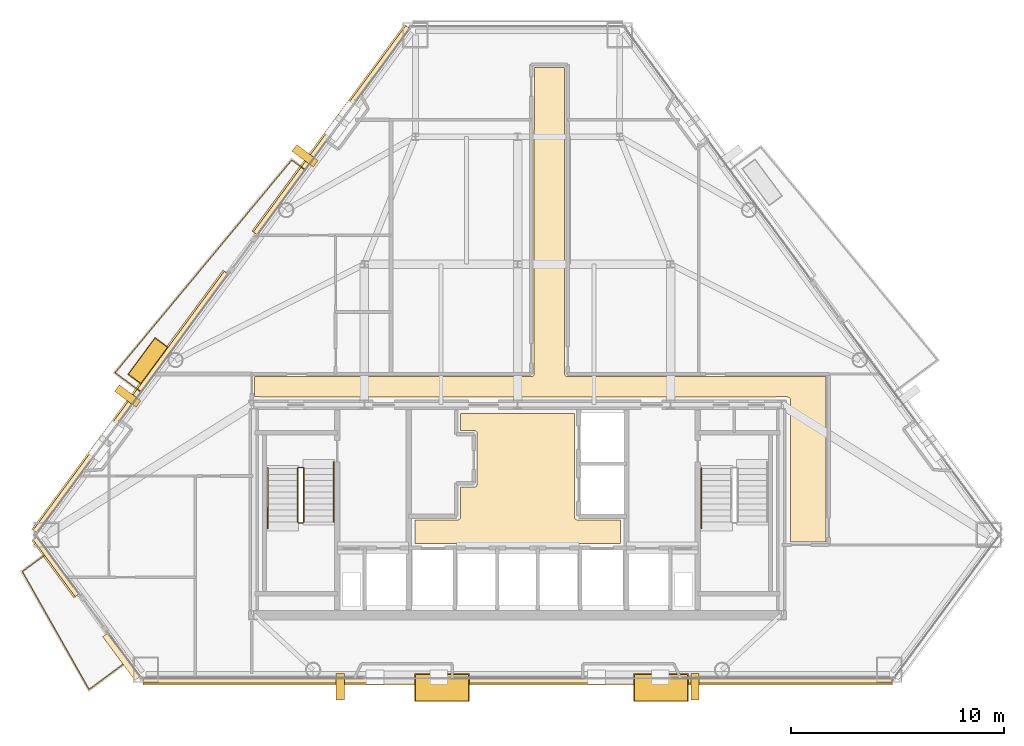
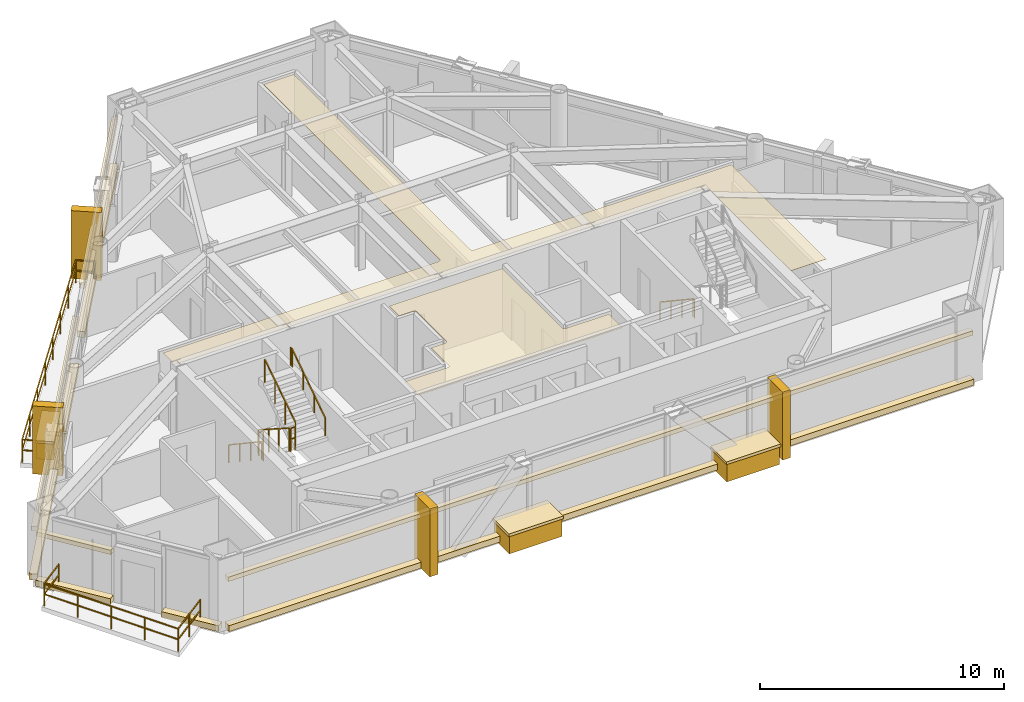
# One storey, part 10 of 11: 21 coverings, 9 railings.
"""IFC4 building model written with IfcOpenShell, lengths in metres."""

from ifc_helpers import new_model, si_unit, direction, frame, origin, origin_2d, place, context, subcontext, project, spatial, polyline, rectangle, outline, extrude, material, layer, layer_set, type_object, element, save


model = new_model("IFC4")

# Units and contexts
model_context = context("Model", 3, precision=1e-05, world=origin(), true_north=direction((0.0, 1.0)))
body_context = subcontext(model_context, "Body", "Model", "MODEL_VIEW")
ifc_project = project(units=[si_unit("LENGTHUNIT", "METRE"), si_unit("AREAUNIT", "SQUARE_METRE"), si_unit("VOLUMEUNIT", "CUBIC_METRE"), si_unit("PLANEANGLEUNIT", "RADIAN"), si_unit("MASSUNIT", "GRAM", prefix="KILO")], contexts=[model_context])

# Site, building, storey
site_placement = place(None, origin())
site = spatial("IfcSite", under=ifc_project, at=site_placement, CompositionType="ELEMENT")
building_placement = place(site_placement, origin())
building = spatial("IfcBuilding", under=site, at=building_placement, Name="Talgorran Terracotta Tower", CompositionType="ELEMENT")
storey_placement = place(building_placement, frame((0.0, 0.0, 143.699951171875)))
storey = spatial("IfcBuildingStorey", under=building, at=storey_placement, Name="L37", CompositionType="ELEMENT", Elevation=143.699951171875)

# Coverings
ifc_material_1 = material(Name="Kiln-Fired Terracotta Ochre Ceramic", Category="masonry")
ifc_layer_1 = layer(ifc_material_1, 0.179931640625, Name="COV_BAGUETTE_TERRACOTTA_SCREEN")
ifc_layer_set_1 = layer_set([ifc_layer_1], Name="Kiln-Fired Terracotta Ochre Ceramic")
covering_type_1 = type_object("IfcCoveringType", Name="COV_BAGUETTE_TERRACOTTA_SCREEN", PredefinedType="CLADDING", material=ifc_layer_set_1)
covering_1_placement = place(storey_placement, frame((-21.692626953125, -11.81689453125, 2.41015625), z_axis=(0.0, 0.0, 1.0), x_axis=(0.594064905441, -0.804417110785, 0.0)))
element("IfcCovering", 1, at=covering_1_placement, inside=storey, type_object=covering_type_1, Name="L37 Terracotta Baguette Solar Screen Assembly F10", PredefinedType="CLADDING", context=body_context, shape_type="SweptSolid", body=[
    extrude(rectangle(XDim=3.32568359375, YDim=0.260009765625, at=origin_2d()), origin(), (0.0, 0.0, 1.0), 0.219970703125),
])
covering_2_placement = place(storey_placement, frame((0.0, -17.17431640625, 2.41015625), z_axis=(0.0, 0.0, 1.0), x_axis=(1.0, 0.0, 0.0)))
element("IfcCovering", 2, at=covering_2_placement, inside=storey, type_object=covering_type_1, Name="L37 Terracotta Baguette Solar Screen Assembly F1", PredefinedType="CLADDING", context=body_context, shape_type="SweptSolid", body=[
    extrude(rectangle(XDim=35.230712890625, YDim=0.260009765625, at=origin_2d()), origin(), (0.0, 0.0, 1.0), 0.219970703125),
])
covering_3_placement = place(storey_placement, frame((-8.737060546875, 8.69677734375, 2.41015625), z_axis=(0.0, 0.0, 1.0), x_axis=(-0.594078945078, -0.804406742274, 0.0)))
element("IfcCovering", 3, at=covering_3_placement, inside=storey, type_object=covering_type_1, Name="L37 Terracotta Baguette Solar Screen Assembly F60", PredefinedType="CLADDING", context=body_context, shape_type="SweptSolid", body=[
    extrude(rectangle(XDim=12.0634765625, YDim=0.260009765625, at=origin_2d()), origin(), (0.0, 0.0, 1.0), 0.219970703125),
])
covering_4_placement = place(storey_placement, frame((-18.18359375, -4.09423828125, 2.41015625), z_axis=(0.0, 0.0, 1.0), x_axis=(-0.594078945078, -0.804406742274, 0.0)))
element("IfcCovering", 4, at=covering_4_placement, inside=storey, type_object=covering_type_1, Name="L37 Terracotta Baguette Solar Screen Assembly F61", PredefinedType="CLADDING", context=body_context, shape_type="SweptSolid", body=[
    extrude(rectangle(XDim=15.138916015625, YDim=0.260009765625, at=origin_2d()), origin(), (0.0, 0.0, 1.0), 0.219970703125),
])
ifc_material_2 = material(Name="Mineral Fibre Acoustic Tile")
ifc_layer_2 = layer(ifc_material_2, 0.02490234375, Name="COV_CEIL_ACOUSTIC")
ifc_layer_set_2 = layer_set([ifc_layer_2], Name="Mineral Fibre Acoustic Tile")
covering_type_2 = type_object("IfcCoveringType", Name="COV_CEIL_ACOUSTIC", PredefinedType="CEILING", material=ifc_layer_set_2)
covering_5_placement = place(storey_placement, frame((0.0, 0.0, 3.260009765625)))
element("IfcCovering", 5, at=covering_5_placement, inside=storey, type_object=covering_type_2, Name="CEIL-L37-2", PredefinedType="CEILING", context=body_context, shape_type="SweptSolid", body=[
    extrude(outline(polyline([(-12.112060546875, -3.844970703125), (-12.11328125, -3.84423828125), (-12.1240234375, -3.839111328125), (-12.13525390625, -3.835205078125), (-12.146484375, -3.832275390625), (-12.158203125, -3.83056640625), (-12.169921875, -3.830078125), (-12.364990234375, -3.830078125), (-12.364990234375, -2.885009765625), (0.64990234375, -2.885009765625), (0.66162109375, -2.884521484375), (0.67333984375, -2.8828125), (0.6845703125, -2.8798828125), (0.69287109375, -2.87744140625), (0.7041015625, -2.87353515625), (0.714599609375, -2.868408203125), (0.724853515625, -2.8623046875), (0.734375, -2.85546875), (0.742919921875, -2.847412109375), (0.7509765625, -2.8388671875), (0.756591796875, -2.83203125), (0.763671875, -2.822509765625), (0.769775390625, -2.8125), (0.774658203125, -2.8017578125), (0.77880859375, -2.79052734375), (0.781494140625, -2.779296875), (0.783203125, -2.767578125), (0.783935546875, -2.755615234375), (0.784912109375, 11.6650390625), (2.215087890625, 11.6650390625), (2.215087890625, -2.75), (2.215576171875, -2.76171875), (2.21728515625, -2.773193359375), (2.22021484375, -2.78466796875), (2.22265625, -2.79296875), (2.2265625, -2.803955078125), (2.231689453125, -2.814697265625), (2.237548828125, -2.82470703125), (2.24462890625, -2.834228515625), (2.25244140625, -2.843017578125), (2.26123046875, -2.850830078125), (2.26806640625, -2.8564453125), (2.277587890625, -2.863525390625), (2.28759765625, -2.86962890625), (2.29833984375, -2.874755859375), (2.309326171875, -2.878662109375), (2.32080078125, -2.881591796875), (2.33251953125, -2.88330078125), (2.34423828125, -2.8837890625), (14.514892578125, -2.885009765625), (14.514892578125, -10.6650390625), (12.8349609375, -10.6650390625), (12.834716796875, -3.97705078125), (12.833984375, -3.96533203125), (12.83251953125, -3.953857421875), (12.82958984375, -3.9423828125), (12.82568359375, -3.931396484375), (12.820556640625, -3.920654296875), (12.81640625, -3.9130859375), (12.810302734375, -3.90283203125), (12.803466796875, -3.893310546875), (12.79541015625, -3.884521484375), (12.78662109375, -3.876708984375), (12.777099609375, -3.86962890625), (12.76708984375, -3.863525390625), (12.75927734375, -3.859375), (12.748779296875, -3.8544921875), (12.73779296875, -3.8505859375), (12.7265625, -3.84765625), (12.715087890625, -3.845947265625), (12.703369140625, -3.84521484375), (12.6884765625, -3.84521484375), (12.6865234375, -3.84423828125), (12.67578125, -3.839111328125), (12.664794921875, -3.835205078125), (12.6533203125, -3.832275390625), (12.641845703125, -3.83056640625), (12.6298828125, -3.830078125), (12.169921875, -3.830078125), (12.158203125, -3.83056640625), (12.146484375, -3.832275390625), (12.13525390625, -3.835205078125), (12.1240234375, -3.839111328125), (12.11328125, -3.84423828125), (12.112060546875, -3.844970703125), (7.432861328125, -3.844970703125), (6.968017578125, -3.843017578125), (6.967529296875, -3.843017578125), (0.232666015625, -3.844970703125), (-0.23193359375, -3.843017578125), (-0.232421875, -3.843017578125), (-6.96728515625, -3.844970703125), (-7.431884765625, -3.843017578125), (-7.4326171875, -3.843017578125), (-12.112060546875, -3.844970703125)])), origin(), (0.0, 0.0, 1.0), 0.02001953125),
])
ifc_material_3 = material(Name="Flush Moisture-Resistant Plaster")
ifc_layer_3 = layer(ifc_material_3, 0.01806640625, Name="COV_CEIL_PLASTER")
ifc_layer_set_3 = layer_set([ifc_layer_3], Name="Flush Moisture-Resistant Plaster")
covering_type_3 = type_object("IfcCoveringType", Name="COV_CEIL_PLASTER", PredefinedType="CEILING", material=ifc_layer_set_3)
covering_6_placement = place(storey_placement, frame((0.0, 0.0, 3.260009765625)))
element("IfcCovering", 6, at=covering_6_placement, inside=storey, type_object=covering_type_3, Name="CEIL-L37-1", PredefinedType="CEILING", context=body_context, shape_type="SweptSolid", body=[
    extrude(outline(polyline([(2.679931640625, -4.6201171875), (2.679931640625, -9.5), (2.6806640625, -9.51171875), (2.682373046875, -9.5234375), (2.685302734375, -9.534912109375), (2.689208984375, -9.5458984375), (2.694091796875, -9.556640625), (2.7001953125, -9.566650390625), (2.707275390625, -9.576171875), (2.715087890625, -9.5849609375), (2.723876953125, -9.5927734375), (2.7333984375, -9.599853515625), (2.743408203125, -9.605712890625), (2.754150390625, -9.61083984375), (2.76513671875, -9.61474609375), (2.776611328125, -9.61767578125), (2.7880859375, -9.619384765625), (2.800048828125, -9.6201171875), (4.830078125, -9.6201171875), (4.830078125, -10.72998046875), (-4.830078125, -10.72998046875), (-4.830078125, -9.6201171875), (-2.800048828125, -9.6201171875), (-2.7880859375, -9.619384765625), (-2.776611328125, -9.61767578125), (-2.76513671875, -9.61474609375), (-2.754150390625, -9.61083984375), (-2.743408203125, -9.605712890625), (-2.7333984375, -9.599853515625), (-2.723876953125, -9.5927734375), (-2.715087890625, -9.5849609375), (-2.707275390625, -9.576171875), (-2.7001953125, -9.566650390625), (-2.694091796875, -9.556640625), (-2.689208984375, -9.5458984375), (-2.685302734375, -9.534912109375), (-2.682373046875, -9.5234375), (-2.6806640625, -9.51171875), (-2.679931640625, -9.5), (-2.679931640625, -8.070068359375), (-2.02001953125, -8.070068359375), (-2.00830078125, -8.0693359375), (-1.99658203125, -8.067626953125), (-1.985107421875, -8.064697265625), (-1.97412109375, -8.060791015625), (-1.96337890625, -8.055908203125), (-1.953369140625, -8.0498046875), (-1.94384765625, -8.042724609375), (-1.93505859375, -8.034912109375), (-1.92724609375, -8.026123046875), (-1.920166015625, -8.0166015625), (-1.914306640625, -8.006591796875), (-1.9091796875, -7.995849609375), (-1.9052734375, -7.98486328125), (-1.90234375, -7.973388671875), (-1.900634765625, -7.9619140625), (-1.89990234375, -7.949951171875), (-1.89990234375, -5.550048828125), (-1.900634765625, -5.5380859375), (-1.90234375, -5.526611328125), (-1.9052734375, -5.51513671875), (-1.9091796875, -5.504150390625), (-1.914306640625, -5.493408203125), (-1.920166015625, -5.4833984375), (-1.92724609375, -5.473876953125), (-1.93505859375, -5.465087890625), (-1.94384765625, -5.457275390625), (-1.953369140625, -5.4501953125), (-1.96337890625, -5.444091796875), (-1.97412109375, -5.439208984375), (-1.985107421875, -5.435302734375), (-1.99658203125, -5.432373046875), (-2.00830078125, -5.4306640625), (-2.02001953125, -5.429931640625), (-2.679931640625, -5.429931640625), (-2.679931640625, -4.6201171875), (2.679931640625, -4.6201171875)])), origin(), (0.0, 0.0, 1.0), 0.02001953125),
])
ifc_material_4 = material(Name="Honed Limestone and Terracotta Planter", Category="masonry")
ifc_layer_4 = layer(ifc_material_4, 0.1201171875, Name="COV_PLANTER_BOX")
ifc_layer_set_4 = layer_set([ifc_layer_4], Name="Honed Limestone and Terracotta Planter")
covering_type_4 = type_object("IfcCoveringType", Name="COV_PLANTER_BOX", PredefinedType="CLADDING", material=ifc_layer_set_4)
for number, where, z_axis, x_axis, name in (
    (7, (6.743408203125, -17.514404296875, -0.179931640625), (0.0, 0.0, 1.0), (1.0, 0.0, 0.0), "L37 Staggered South Facade Planter Box 1"),
    (8, (-3.54931640625, -17.514404296875, -0.179931640625), (0.0, 0.0, 1.0), (1.0, 0.0, 0.0), "L37 Staggered South Facade Planter Box 2"),
):
    element("IfcCovering", number, at=place(storey_placement, frame(where, z_axis=z_axis, x_axis=x_axis)), inside=storey, type_object=covering_type_4, Name=name, PredefinedType="CLADDING", context=body_context, shape_type="SweptSolid", body=[
        extrude(rectangle(XDim=2.5, YDim=1.25, at=origin_2d()), origin(), (0.0, 0.0, 1.0), 0.919921875),
    ])
covering_7_placement = place(storey_placement, frame((-17.3857421875, -2.14013671875, -0.02001953125), z_axis=(0.0, 0.0, 1.0), x_axis=(-0.594078945078, -0.804406742274, 0.0)))
element("IfcCovering", 9, at=covering_7_placement, inside=storey, type_object=covering_type_4, Name="L37 Staggered Balcony Planter Box BAL-NW", PredefinedType="CLADDING", context=body_context, shape_type="SweptSolid", body=[
    extrude(rectangle(XDim=2.10009765625, YDim=0.719970703125, at=origin_2d()), origin(), (0.0, 0.0, 1.0), 0.860107421875),
])
ifc_material_5 = material(Name="Kiln-Fired Terracotta Planter Rim", Category="masonry")
ifc_layer_5 = layer(ifc_material_5, 0.10009765625, Name="COV_PLANTER_RIM")
ifc_layer_set_5 = layer_set([ifc_layer_5], Name="Kiln-Fired Terracotta Planter Rim")
covering_type_5 = type_object("IfcCoveringType", Name="COV_PLANTER_RIM", PredefinedType="CLADDING", material=ifc_layer_set_5)
for number, where, z_axis, x_axis, name in (
    (10, (6.743408203125, -17.514404296875, 0.7099609375), (0.0, 0.0, 1.0), (1.0, 0.0, 0.0), "L37 South Planter Terracotta Rim 1"),
    (11, (-3.54931640625, -17.514404296875, 0.7099609375), (0.0, 0.0, 1.0), (1.0, 0.0, 0.0), "L37 South Planter Terracotta Rim 2"),
):
    element("IfcCovering", number, at=place(storey_placement, frame(where, z_axis=z_axis, x_axis=x_axis)), inside=storey, type_object=covering_type_5, Name=name, PredefinedType="CLADDING", context=body_context, shape_type="SweptSolid", body=[
        extrude(rectangle(XDim=2.580078125, YDim=1.320068359375, at=origin_2d()), origin(), (0.0, 0.0, 1.0), 0.139892578125),
    ])
covering_8_placement = place(storey_placement, frame((-17.3857421875, -2.14013671875, 0.800048828125), z_axis=(0.0, 0.0, 1.0), x_axis=(-0.594078945078, -0.804406742274, 0.0)))
element("IfcCovering", 12, at=covering_8_placement, inside=storey, type_object=covering_type_5, Name="L37 Balcony Planter Terracotta Rim BAL-NW", PredefinedType="CLADDING", context=body_context, shape_type="SweptSolid", body=[
    extrude(rectangle(XDim=2.179931640625, YDim=0.780029296875, at=origin_2d()), origin(), (0.0, 0.0, 1.0), 0.1201171875),
])
ifc_material_6 = material(Name="Honed Limestone Cladding", Category="masonry")
ifc_layer_6 = layer(ifc_material_6, 0.094970703125, Name="COV_PORTAL_LIME")
ifc_layer_set_6 = layer_set([ifc_layer_6], Name="Honed Limestone Cladding")
covering_type_6 = type_object("IfcCoveringType", Name="COV_PORTAL_LIME", PredefinedType="CLADDING", material=ifc_layer_set_6)
for number, where, z_axis, x_axis, name in (
    (13, (-8.340576171875, -17.474365234375, -0.0498046875), (0.0, 0.0, 1.0), (1.0, 0.0, 0.0), "L37 White Striped Portal Fin F1-1"),
    (14, (-9.99658203125, 7.49658203125, -0.0498046875), (0.0, 0.0, 1.0), (-0.594078945078, -0.804406742274, 0.0), "L37 White Striped Portal Fin F5-1"),
):
    element("IfcCovering", number, at=place(storey_placement, frame(where, z_axis=z_axis, x_axis=x_axis)), inside=storey, type_object=covering_type_6, Name=name, PredefinedType="CLADDING", context=body_context, shape_type="SweptSolid", body=[
        extrude(rectangle(XDim=0.3798828125, YDim=1.25, at=origin_2d()), origin(), (0.0, 0.0, 1.0), 3.39990234375),
    ])
ifc_material_7 = material(Name="Kiln-Fired Terracotta Cladding", Category="masonry")
ifc_layer_7 = layer(ifc_material_7, 0.090087890625, Name="COV_PORTAL_TERRA")
ifc_layer_set_7 = layer_set([ifc_layer_7], Name="Kiln-Fired Terracotta Cladding")
covering_type_7 = type_object("IfcCoveringType", Name="COV_PORTAL_TERRA", PredefinedType="CLADDING", material=ifc_layer_set_7)
covering_9_placement = place(storey_placement, frame((-21.724853515625, -11.840576171875, -0.0400390625), z_axis=(0.0, 0.0, 1.0), x_axis=(0.594064905441, -0.804417110785, 0.0)))
element("IfcCovering", 15, at=covering_9_placement, inside=storey, type_object=covering_type_7, Name="L37 Striped Postmodern Portal Cladding Band F10", PredefinedType="CLADDING", context=body_context, shape_type="SweptSolid", body=[
    extrude(rectangle(XDim=3.345703125, YDim=0.340087890625, at=origin_2d()), origin(), (0.0, 0.0, 1.0), 0.300048828125),
])
covering_10_placement = place(storey_placement, frame((-18.616943359375, -16.048583984375, -0.0400390625), z_axis=(0.0, 0.0, 1.0), x_axis=(0.594064905441, -0.804417110785, 0.0)))
element("IfcCovering", 16, at=covering_10_placement, inside=storey, type_object=covering_type_7, Name="L37 Striped Postmodern Portal Cladding Band F11", PredefinedType="CLADDING", context=body_context, shape_type="SweptSolid", body=[
    extrude(rectangle(XDim=2.556884765625, YDim=0.340087890625, at=origin_2d()), origin(), (0.0, 0.0, 1.0), 0.300048828125),
])
covering_11_placement = place(storey_placement, frame((0.0, -17.21435546875, -0.0400390625), z_axis=(0.0, 0.0, 1.0), x_axis=(1.0, 0.0, 0.0)))
element("IfcCovering", 17, at=covering_11_placement, inside=storey, type_object=covering_type_7, Name="L37 Striped Postmodern Portal Cladding Band F1", PredefinedType="CLADDING", context=body_context, shape_type="SweptSolid", body=[
    extrude(rectangle(XDim=35.250732421875, YDim=0.340087890625, at=origin_2d()), origin(), (0.0, 0.0, 1.0), 0.300048828125),
])
covering_12_placement = place(storey_placement, frame((-8.769287109375, 8.720703125, -0.0400390625), z_axis=(0.0, 0.0, 1.0), x_axis=(-0.594078945078, -0.804406742274, 0.0)))
element("IfcCovering", 18, at=covering_12_placement, inside=storey, type_object=covering_type_7, Name="L37 Striped Postmodern Portal Cladding Band F60", PredefinedType="CLADDING", context=body_context, shape_type="SweptSolid", body=[
    extrude(rectangle(XDim=12.08349609375, YDim=0.340087890625, at=origin_2d()), origin(), (0.0, 0.0, 1.0), 0.300048828125),
])
covering_13_placement = place(storey_placement, frame((-18.2158203125, -4.070556640625, -0.0400390625), z_axis=(0.0, 0.0, 1.0), x_axis=(-0.594078945078, -0.804406742274, 0.0)))
element("IfcCovering", 19, at=covering_13_placement, inside=storey, type_object=covering_type_7, Name="L37 Striped Postmodern Portal Cladding Band F61", PredefinedType="CLADDING", context=body_context, shape_type="SweptSolid", body=[
    extrude(rectangle(XDim=15.158935546875, YDim=0.340087890625, at=origin_2d()), origin(), (0.0, 0.0, 1.0), 0.300048828125),
])
for number, where, z_axis, x_axis, name in (
    (20, (8.340576171875, -17.474365234375, -0.0498046875), (0.0, 0.0, 1.0), (1.0, 0.0, 0.0), "L37 Terracotta Striped Portal Fin F1-2"),
    (21, (-18.337158203125, -3.797119140625, -0.0498046875), (0.0, 0.0, 1.0), (-0.594078945078, -0.804406742274, 0.0), "L37 Terracotta Striped Portal Fin F5-2"),
):
    element("IfcCovering", number, at=place(storey_placement, frame(where, z_axis=z_axis, x_axis=x_axis)), inside=storey, type_object=covering_type_7, Name=name, PredefinedType="CLADDING", context=body_context, shape_type="SweptSolid", body=[
        extrude(rectangle(XDim=0.3798828125, YDim=1.25, at=origin_2d()), origin(), (0.0, 0.0, 1.0), 3.39990234375),
    ])

# Railings
ifc_material_8 = material(Name="Laminated Glass and Stainless Steel 316", Category="steel")
railing_type_1 = type_object("IfcRailingType", Name="RL_BALCONY_1150", PredefinedType="BALUSTRADE", material=ifc_material_8)
railing_1_placement = place(storey_placement, frame((-10.004638671875, 6.845947265625, 0.0)))
element("IfcRailing", 22, at=railing_1_placement, inside=storey, type_object=railing_type_1, Name="RL-L37-BAL-BAL-NW", PredefinedType="BALUSTRADE", context=body_context, shape_type="SweptSolid", body=[
    extrude(rectangle(XDim=0.048095703125, YDim=0.048095703125, at=origin_2d()), frame((0.0, 0.0, 1.1259765625), z_axis=(-0.804248748568, 0.594292815392, 0.0), x_axis=(-0.594292815392, -0.804248748568, 0.0)), (0.0, 0.0, 1.0), 0.7685546875),
    extrude(rectangle(XDim=0.048095703125, YDim=0.048095703125, at=origin_2d()), frame((0.0, 0.0, 0.597900390625), z_axis=(-0.804248748568, 0.594292815392, 0.0), x_axis=(-0.594292815392, -0.804248748568, 0.0)), (0.0, 0.0, 1.0), 0.7685546875),
    extrude(rectangle(XDim=0.048095703125, YDim=0.048095703125, at=origin_2d()), frame((-0.6181640625, 0.456787109375, 1.1259765625), z_axis=(-0.638926047412, -0.769268162567, 0.0), x_axis=(0.769268162567, -0.638926047412, 0.0)), (0.0, 0.0, 1.0), 13.0048828125),
    extrude(rectangle(XDim=0.048095703125, YDim=0.048095703125, at=origin_2d()), frame((-0.6181640625, 0.456787109375, 0.597900390625), z_axis=(-0.638926047412, -0.769268162567, 0.0), x_axis=(0.769268162567, -0.638926047412, 0.0)), (0.0, 0.0, 1.0), 13.0048828125),
    extrude(rectangle(XDim=0.048095703125, YDim=0.048095703125, at=origin_2d()), frame((-8.92724609375, -9.54736328125, 1.1259765625), z_axis=(0.804384508745, -0.594109048989, 0.0), x_axis=(0.594109048989, 0.804384508745, 0.0)), (0.0, 0.0, 1.0), 1.50927734375),
    extrude(rectangle(XDim=0.048095703125, YDim=0.048095703125, at=origin_2d()), frame((-8.92724609375, -9.54736328125, 0.597900390625), z_axis=(0.804384508745, -0.594109048989, 0.0), x_axis=(0.594109048989, 0.804384508745, 0.0)), (0.0, 0.0, 1.0), 1.50927734375),
    extrude(rectangle(XDim=0.0419921875, YDim=0.0419921875, at=origin_2d()), origin(), (0.0, 0.0, 1.0), 1.101806640625),
    extrude(rectangle(XDim=0.0419921875, YDim=0.0419921875, at=origin_2d()), frame((-0.6181640625, 0.456787109375, 0.0)), (0.0, 0.0, 1.0), 1.101806640625),
    extrude(rectangle(XDim=0.0419921875, YDim=0.0419921875, at=origin_2d()), frame((-1.80517578125, -0.972412109375, 0.0)), (0.0, 0.0, 1.0), 1.101806640625),
    extrude(rectangle(XDim=0.0419921875, YDim=0.0419921875, at=origin_2d()), frame((-2.9921875, -2.401611328125, 0.0)), (0.0, 0.0, 1.0), 1.101806640625),
    extrude(rectangle(XDim=0.0419921875, YDim=0.0419921875, at=origin_2d()), frame((-4.17919921875, -3.830810546875, 0.0)), (0.0, 0.0, 1.0), 1.101806640625),
    extrude(rectangle(XDim=0.0419921875, YDim=0.0419921875, at=origin_2d()), frame((-5.3662109375, -5.259765625, 0.0)), (0.0, 0.0, 1.0), 1.101806640625),
    extrude(rectangle(XDim=0.0419921875, YDim=0.0419921875, at=origin_2d()), frame((-6.55322265625, -6.68896484375, 0.0)), (0.0, 0.0, 1.0), 1.101806640625),
    extrude(rectangle(XDim=0.0419921875, YDim=0.0419921875, at=origin_2d()), frame((-7.740234375, -8.1181640625, 0.0)), (0.0, 0.0, 1.0), 1.101806640625),
    extrude(rectangle(XDim=0.0419921875, YDim=0.0419921875, at=origin_2d()), frame((-8.92724609375, -9.54736328125, 0.0)), (0.0, 0.0, 1.0), 1.101806640625),
    extrude(rectangle(XDim=0.0419921875, YDim=0.0419921875, at=origin_2d()), frame((-7.713134765625, -10.444091796875, 0.0)), (0.0, 0.0, 1.0), 1.101806640625),
])
railing_2_placement = place(storey_placement, frame((-22.07861328125, -11.15966796875, 0.0)))
element("IfcRailing", 23, at=railing_2_placement, inside=storey, type_object=railing_type_1, Name="RL-L37-BAL-BAL-SW", PredefinedType="BALUSTRADE", context=body_context, shape_type="SweptSolid", body=[
    extrude(rectangle(XDim=0.048095703125, YDim=0.048095703125, at=origin_2d()), frame((0.0, 0.0, 1.1259765625), z_axis=(-0.804371340189, -0.594126877933, 0.0), x_axis=(0.594126877933, -0.804371340189, 0.0)), (0.0, 0.0, 1.0), 1.50732421875),
    extrude(rectangle(XDim=0.048095703125, YDim=0.048095703125, at=origin_2d()), frame((0.0, 0.0, 0.597900390625), z_axis=(-0.804371340189, -0.594126877933, 0.0), x_axis=(0.594126877933, -0.804371340189, 0.0)), (0.0, 0.0, 1.0), 1.50732421875),
    extrude(rectangle(XDim=0.048095703125, YDim=0.048095703125, at=origin_2d()), frame((-1.21240234375, -0.8955078125, 1.1259765625), z_axis=(0.492246644388, -0.870455766302, 0.0), x_axis=(0.870455766302, 0.492246644388, 0.0)), (0.0, 0.0, 1.0), 6.371337890625),
    extrude(rectangle(XDim=0.048095703125, YDim=0.048095703125, at=origin_2d()), frame((-1.21240234375, -0.8955078125, 0.597900390625), z_axis=(0.492246644388, -0.870455766302, 0.0), x_axis=(0.870455766302, 0.492246644388, 0.0)), (0.0, 0.0, 1.0), 6.371337890625),
    extrude(rectangle(XDim=0.048095703125, YDim=0.048095703125, at=origin_2d()), frame((1.923828125, -6.44140625, 1.1259765625), z_axis=(0.804425392074, 0.59405369167, 0.0), x_axis=(-0.59405369167, 0.804425392074, 0.0)), (0.0, 0.0, 1.0), 2.279296875),
    extrude(rectangle(XDim=0.048095703125, YDim=0.048095703125, at=origin_2d()), frame((1.923828125, -6.44140625, 0.597900390625), z_axis=(0.804425392074, 0.59405369167, 0.0), x_axis=(-0.59405369167, 0.804425392074, 0.0)), (0.0, 0.0, 1.0), 2.279296875),
    extrude(rectangle(XDim=0.0419921875, YDim=0.0419921875, at=origin_2d()), origin(), (0.0, 0.0, 1.0), 1.101806640625),
    extrude(rectangle(XDim=0.0419921875, YDim=0.0419921875, at=origin_2d()), frame((-1.21240234375, -0.8955078125, 0.0)), (0.0, 0.0, 1.0), 1.101806640625),
    extrude(rectangle(XDim=0.0419921875, YDim=0.0419921875, at=origin_2d()), frame((-0.42822265625, -2.281982421875, 0.0)), (0.0, 0.0, 1.0), 1.101806640625),
    extrude(rectangle(XDim=0.0419921875, YDim=0.0419921875, at=origin_2d()), frame((0.355712890625, -3.66845703125, 0.0)), (0.0, 0.0, 1.0), 1.101806640625),
    extrude(rectangle(XDim=0.0419921875, YDim=0.0419921875, at=origin_2d()), frame((1.1396484375, -5.054931640625, 0.0)), (0.0, 0.0, 1.0), 1.101806640625),
    extrude(rectangle(XDim=0.0419921875, YDim=0.0419921875, at=origin_2d()), frame((1.923828125, -6.44140625, 0.0)), (0.0, 0.0, 1.0), 1.101806640625),
    extrude(rectangle(XDim=0.0419921875, YDim=0.0419921875, at=origin_2d()), frame((2.840576171875, -5.764404296875, 0.0)), (0.0, 0.0, 1.0), 1.101806640625),
    extrude(rectangle(XDim=0.0419921875, YDim=0.0419921875, at=origin_2d()), frame((3.75732421875, -5.08740234375, 0.0)), (0.0, 0.0, 1.0), 1.101806640625),
])
ifc_material_9 = material(Name="Steel S355 (300PLUS)", Category="steel")
railing_type_2 = type_object("IfcRailingType", Name="RL_HANDRAIL_920", PredefinedType="HANDRAIL", material=ifc_material_9)
railing_3_placement = place(storey_placement, frame((-11.75, -7.199951171875, 0.179931640625)))
element("IfcRailing", 24, at=railing_3_placement, inside=storey, type_object=railing_type_2, Name="L37 ST-01 stair handrail 1", PredefinedType="HANDRAIL", context=body_context, shape_type="SweptSolid", body=[
    extrude(rectangle(XDim=0.048095703125, YDim=0.048095703125, at=origin_2d()), frame((0.0, 0.0, 0.89599609375), z_axis=(0.0, -0.832038719335, 0.554717558338), x_axis=(1.0, 0.0, 0.0)), (0.0, 0.0, 1.0), 3.244873046875),
    extrude(rectangle(XDim=0.048095703125, YDim=0.048095703125, at=origin_2d()), frame((0.0, -2.699951171875, 2.69580078125), z_axis=(0.0, -1.0, 0.0), x_axis=(1.0, 0.0, 0.0)), (0.0, 0.0, 1.0), 0.1201171875),
    extrude(rectangle(XDim=0.0419921875, YDim=0.0419921875, at=origin_2d()), origin(), (0.0, 0.0, 1.0), 0.871826171875),
    extrude(rectangle(XDim=0.0419921875, YDim=0.0419921875, at=origin_2d()), frame((0.0, -0.89990234375, 0.60009765625)), (0.0, 0.0, 1.0), 0.871826171875),
    extrude(rectangle(XDim=0.0419921875, YDim=0.0419921875, at=origin_2d()), frame((0.0, -1.800048828125, 1.199951171875)), (0.0, 0.0, 1.0), 0.871826171875),
    extrude(rectangle(XDim=0.0419921875, YDim=0.0419921875, at=origin_2d()), frame((0.0, -2.699951171875, 1.800048828125)), (0.0, 0.0, 1.0), 0.871826171875),
    extrude(rectangle(XDim=0.0419921875, YDim=0.0419921875, at=origin_2d()), frame((0.0, -2.820068359375, 1.800048828125)), (0.0, 0.0, 1.0), 0.871826171875),
])
railing_4_placement = place(storey_placement, frame((-8.64990234375, -9.719970703125, 1.97998046875)))
element("IfcRailing", 25, at=railing_4_placement, inside=storey, type_object=railing_type_2, Name="L37 ST-01 stair handrail 2", PredefinedType="HANDRAIL", context=body_context, shape_type="SweptSolid", body=[
    extrude(rectangle(XDim=0.048095703125, YDim=0.048095703125, at=origin_2d()), frame((0.0, 0.0, 0.89599609375), z_axis=(0.0, 0.832038719335, 0.554717558338), x_axis=(-1.0, 0.0, 0.0)), (0.0, 0.0, 1.0), 3.244873046875),
    extrude(rectangle(XDim=0.048095703125, YDim=0.048095703125, at=origin_2d()), frame((0.0, 2.699951171875, 2.69580078125), z_axis=(0.0, 1.0, 0.0), x_axis=(-1.0, 0.0, 0.0)), (0.0, 0.0, 1.0), 0.1201171875),
    extrude(rectangle(XDim=0.0419921875, YDim=0.0419921875, at=origin_2d()), origin(), (0.0, 0.0, 1.0), 0.871826171875),
    extrude(rectangle(XDim=0.0419921875, YDim=0.0419921875, at=origin_2d()), frame((0.0, 0.89990234375, 0.60009765625)), (0.0, 0.0, 1.0), 0.871826171875),
    extrude(rectangle(XDim=0.0419921875, YDim=0.0419921875, at=origin_2d()), frame((0.0, 1.800048828125, 1.199951171875)), (0.0, 0.0, 1.0), 0.871826171875),
    extrude(rectangle(XDim=0.0419921875, YDim=0.0419921875, at=origin_2d()), frame((0.0, 2.699951171875, 1.800048828125)), (0.0, 0.0, 1.0), 0.871826171875),
    extrude(rectangle(XDim=0.0419921875, YDim=0.0419921875, at=origin_2d()), frame((0.0, 2.820068359375, 1.800048828125)), (0.0, 0.0, 1.0), 0.871826171875),
])
railing_5_placement = place(storey_placement, frame((8.64990234375, -7.199951171875, 0.179931640625)))
element("IfcRailing", 26, at=railing_5_placement, inside=storey, type_object=railing_type_2, Name="L37 ST-02 stair handrail 1", PredefinedType="HANDRAIL", context=body_context, shape_type="SweptSolid", body=[
    extrude(rectangle(XDim=0.048095703125, YDim=0.048095703125, at=origin_2d()), frame((0.0, 0.0, 0.89599609375), z_axis=(0.0, -0.832038719335, 0.554717558338), x_axis=(1.0, 0.0, 0.0)), (0.0, 0.0, 1.0), 3.244873046875),
    extrude(rectangle(XDim=0.048095703125, YDim=0.048095703125, at=origin_2d()), frame((0.0, -2.699951171875, 2.69580078125), z_axis=(0.0, -1.0, 0.0), x_axis=(1.0, 0.0, 0.0)), (0.0, 0.0, 1.0), 0.1201171875),
    extrude(rectangle(XDim=0.0419921875, YDim=0.0419921875, at=origin_2d()), origin(), (0.0, 0.0, 1.0), 0.871826171875),
    extrude(rectangle(XDim=0.0419921875, YDim=0.0419921875, at=origin_2d()), frame((0.0, -0.89990234375, 0.60009765625)), (0.0, 0.0, 1.0), 0.871826171875),
    extrude(rectangle(XDim=0.0419921875, YDim=0.0419921875, at=origin_2d()), frame((0.0, -1.800048828125, 1.199951171875)), (0.0, 0.0, 1.0), 0.871826171875),
    extrude(rectangle(XDim=0.0419921875, YDim=0.0419921875, at=origin_2d()), frame((0.0, -2.699951171875, 1.800048828125)), (0.0, 0.0, 1.0), 0.871826171875),
    extrude(rectangle(XDim=0.0419921875, YDim=0.0419921875, at=origin_2d()), frame((0.0, -2.820068359375, 1.800048828125)), (0.0, 0.0, 1.0), 0.871826171875),
])
railing_type_3 = type_object("IfcRailingType", Name="RL_STAIR_GUARD", PredefinedType="GUARDRAIL", material=ifc_material_9)
railing_6_placement = place(storey_placement, frame((-10.35009765625, -7.199951171875, 0.179931640625)))
element("IfcRailing", 27, at=railing_6_placement, inside=storey, type_object=railing_type_3, Name="L37 ST-01 stair guard 1", PredefinedType="GUARDRAIL", context=body_context, shape_type="SweptSolid", body=[
    extrude(rectangle(XDim=0.048095703125, YDim=0.048095703125, at=origin_2d()), frame((0.0, 0.0, 1.15576171875), z_axis=(0.0, -0.841162588446, 0.540782303519), x_axis=(1.0, 0.0, 0.0)), (0.0, 0.0, 1.0), 2.995849609375),
    extrude(rectangle(XDim=0.0419921875, YDim=0.0419921875, at=origin_2d()), origin(), (0.0, 0.0, 1.0), 1.1318359375),
    extrude(rectangle(XDim=0.0419921875, YDim=0.0419921875, at=origin_2d()), frame((0.0, -0.840087890625, 0.5400390625)), (0.0, 0.0, 1.0), 1.1318359375),
    extrude(rectangle(XDim=0.0419921875, YDim=0.0419921875, at=origin_2d()), frame((0.0, -1.679931640625, 1.080078125)), (0.0, 0.0, 1.0), 1.1318359375),
    extrude(rectangle(XDim=0.0419921875, YDim=0.0419921875, at=origin_2d()), frame((0.0, -2.52001953125, 1.6201171875)), (0.0, 0.0, 1.0), 1.1318359375),
])
railing_7_placement = place(storey_placement, frame((-10.300048828125, -9.77001953125, 1.800048828125)))
element("IfcRailing", 28, at=railing_7_placement, inside=storey, type_object=railing_type_3, Name="L37 ST-01 stair guard 2", PredefinedType="GUARDRAIL", context=body_context, shape_type="SweptSolid", body=[
    extrude(rectangle(XDim=0.048095703125, YDim=0.048095703125, at=origin_2d()), frame((0.0, 0.0, 1.15576171875), z_axis=(1.0, 0.0, 0.0), x_axis=(0.0, 1.0, 0.0)), (0.0, 0.0, 1.0), 0.199951171875),
    extrude(rectangle(XDim=0.048095703125, YDim=0.048095703125, at=origin_2d()), frame((0.0, 0.0, 0.613525390625), z_axis=(1.0, 0.0, 0.0), x_axis=(0.0, 1.0, 0.0)), (0.0, 0.0, 1.0), 0.199951171875),
    extrude(rectangle(XDim=0.0419921875, YDim=0.0419921875, at=origin_2d()), origin(), (0.0, 0.0, 1.0), 1.1318359375),
    extrude(rectangle(XDim=0.0419921875, YDim=0.0419921875, at=origin_2d()), frame((0.199951171875, 0.0, 0.0)), (0.0, 0.0, 1.0), 1.1318359375),
])
railing_8_placement = place(storey_placement, frame((-10.050048828125, -9.719970703125, 1.97998046875)))
element("IfcRailing", 29, at=railing_8_placement, inside=storey, type_object=railing_type_3, Name="L37 ST-01 stair guard 3", PredefinedType="GUARDRAIL", context=body_context, shape_type="SweptSolid", body=[
    extrude(rectangle(XDim=0.048095703125, YDim=0.048095703125, at=origin_2d()), frame((0.0, 0.0, 1.15576171875), z_axis=(0.0, 0.841162588446, 0.540782303519), x_axis=(-1.0, 0.0, 0.0)), (0.0, 0.0, 1.0), 2.995849609375),
    extrude(rectangle(XDim=0.0419921875, YDim=0.0419921875, at=origin_2d()), origin(), (0.0, 0.0, 1.0), 1.1318359375),
    extrude(rectangle(XDim=0.0419921875, YDim=0.0419921875, at=origin_2d()), frame((0.0, 0.840087890625, 0.5400390625)), (0.0, 0.0, 1.0), 1.1318359375),
    extrude(rectangle(XDim=0.0419921875, YDim=0.0419921875, at=origin_2d()), frame((0.0, 1.679931640625, 1.080078125)), (0.0, 0.0, 1.0), 1.1318359375),
    extrude(rectangle(XDim=0.0419921875, YDim=0.0419921875, at=origin_2d()), frame((0.0, 2.52001953125, 1.6201171875)), (0.0, 0.0, 1.0), 1.1318359375),
])
railing_9_placement = place(storey_placement, frame((-10.300048828125, -7.14990234375, 0.0)))
element("IfcRailing", 30, at=railing_9_placement, inside=storey, type_object=railing_type_3, Name="L37 ST-01 stair guard 4", PredefinedType="GUARDRAIL", context=body_context, shape_type="SweptSolid", body=[
    extrude(rectangle(XDim=0.048095703125, YDim=0.048095703125, at=origin_2d()), frame((0.0, 0.0, 1.15576171875), z_axis=(1.0, 0.0, 0.0), x_axis=(0.0, 1.0, 0.0)), (0.0, 0.0, 1.0), 0.199951171875),
    extrude(rectangle(XDim=0.048095703125, YDim=0.048095703125, at=origin_2d()), frame((0.0, 0.0, 0.613525390625), z_axis=(1.0, 0.0, 0.0), x_axis=(0.0, 1.0, 0.0)), (0.0, 0.0, 1.0), 0.199951171875),
    extrude(rectangle(XDim=0.0419921875, YDim=0.0419921875, at=origin_2d()), origin(), (0.0, 0.0, 1.0), 1.1318359375),
    extrude(rectangle(XDim=0.0419921875, YDim=0.0419921875, at=origin_2d()), frame((0.199951171875, 0.0, 0.0)), (0.0, 0.0, 1.0), 1.1318359375),
])

save(model, "model.ifc")
